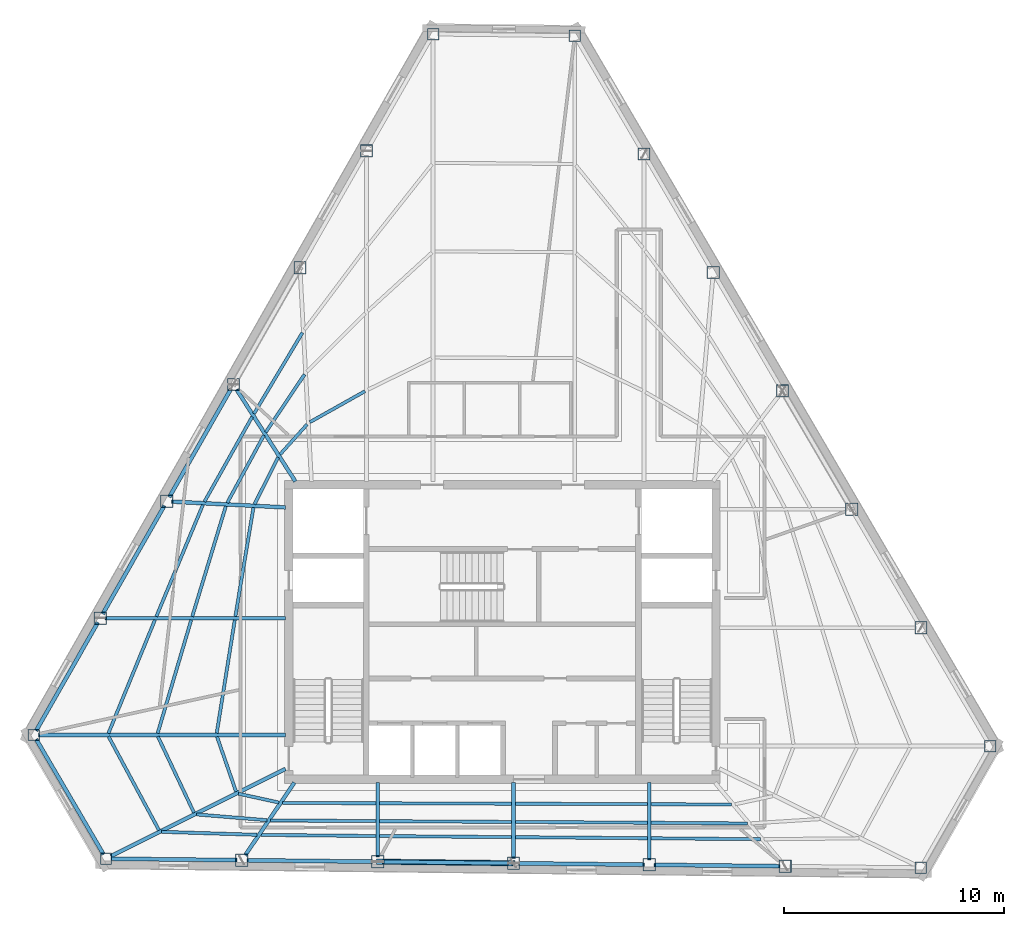
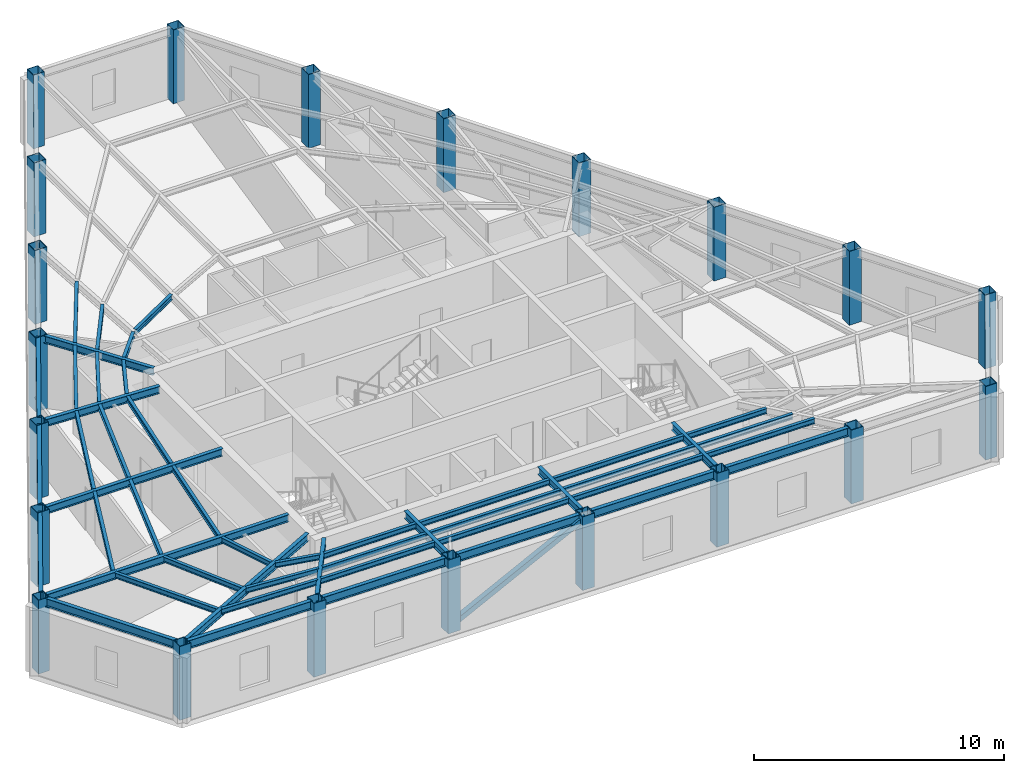
# One storey, part 1 of 10: 49 beams, 21 columns, 1 member.
"""IFC4 building model written with IfcOpenShell, lengths in metres."""

from ifc_helpers import new_model, si_unit, direction, frame, origin, origin_2d, place, context, subcontext, project, spatial, hollow_rectangle, i_section, extrude, material, material_profile, profile_set, type_object, element, save


model = new_model("IFC4")

# Units and contexts
model_context = context("Model", 3, precision=1e-05, world=origin(), true_north=direction((0.0, 1.0)))
body_context = subcontext(model_context, "Body", "Model", "MODEL_VIEW")
ifc_project = project(units=[si_unit("LENGTHUNIT", "METRE"), si_unit("AREAUNIT", "SQUARE_METRE"), si_unit("VOLUMEUNIT", "CUBIC_METRE"), si_unit("PLANEANGLEUNIT", "RADIAN"), si_unit("MASSUNIT", "GRAM", prefix="KILO")], contexts=[model_context])

# Site, building, storey
site_placement = place(None, origin())
site = spatial("IfcSite", under=ifc_project, at=site_placement, CompositionType="ELEMENT")
building_placement = place(site_placement, origin())
building = spatial("IfcBuilding", under=site, at=building_placement, Name="Kavelnor Concourse Tower", CompositionType="ELEMENT")
storey_placement = place(building_placement, frame((0.0, 0.0, 251.050048828125)))
storey = spatial("IfcBuildingStorey", under=building, at=storey_placement, Name="L63", CompositionType="ELEMENT", Elevation=251.050048828125)

# Columns
ifc_material = material(Name="Steel Grade 350", Category="steel")
ifc_material_profile_1 = material_profile(ifc_material, hollow_rectangle(XDim=0.52001953125, YDim=0.52001953125, WallThickness=0.02392578125, at=origin_2d()), Name="SHS 520x520x24")
ifc_profile_set_1 = profile_set([ifc_material_profile_1], Name="Steel Grade 350")
column_type_1 = type_object("IfcColumnType", Name="COL-FOLD-Z4", PredefinedType="COLUMN", material=ifc_profile_set_1)
for number, where, z_axis, x_axis, name in (
    (1, (34.846923828125, 43.2880859375, 0.0), (0.0, 0.0, 1.0), (1.0, 0.0, 0.0), "L63 Perimeter Corner-Fold Column F0-B0"),
    (2, (16.684814453125, 11.416259765625, 0.0), (0.0, 0.0, 1.0), (1.0, 0.0, 0.0), "L63 Perimeter Corner-Fold Column F0-B6"),
    (3, (19.973876953125, 5.791748046875, 0.0), (0.0, 0.0, 1.0), (1.0, 0.0, 0.0), "L63 Perimeter Corner-Fold Column F1-B0"),
    (4, (57.026611328125, 5.376953125, 0.0), (0.0, 0.0, 1.0), (1.0, 0.0, 0.0), "L63 Perimeter Corner-Fold Column F1-B6"),
    (5, (60.179931640625, 10.91064453125, 0.0), (0.0, 0.0, 1.0), (1.0, 0.0, 0.0), "L63 Perimeter Corner-Fold Column F2-B0"),
    (6, (41.288818359375, 43.216064453125, 0.0), (0.0, 0.0, 1.0), (1.0, 0.0, 0.0), "L63 Perimeter Corner-Fold Column F2-B6"),
):
    element("IfcColumn", number, at=place(storey_placement, frame(where, z_axis=z_axis, x_axis=x_axis)), inside=storey, type_object=column_type_1, Name=name, PredefinedType="COLUMN", context=body_context, shape_type="SweptSolid", body=[
        extrude(hollow_rectangle(XDim=0.52001953125, YDim=0.52001953125, WallThickness=0.02392578125, at=origin_2d()), origin(), (0.0, 0.0, 1.0), 3.60986328125),
    ])
ifc_material_profile_2 = material_profile(ifc_material, hollow_rectangle(XDim=0.56005859375, YDim=0.56005859375, WallThickness=0.02490234375, at=origin_2d()), Name="SHS 560x560x25")
ifc_profile_set_2 = profile_set([ifc_material_profile_2], Name="Steel Grade 350")
column_type_2 = type_object("IfcColumnType", Name="COL-TUBE-Z4", PredefinedType="COLUMN", material=ifc_profile_set_2)
for number, where, z_axis, x_axis, name in (
    (7, (31.81982421875, 37.976318359375, 0.0), (0.0, 0.0, 1.0), (1.0, 0.0, 0.0), "L63 Perimeter Framed-Tube Column F0-B1"),
    (8, (28.79296875, 32.664306640625, 0.0), (0.0, 0.0, 1.0), (1.0, 0.0, 0.0), "L63 Perimeter Framed-Tube Column F0-B2"),
    (9, (25.765869140625, 27.352294921875, 0.0), (0.0, 0.0, 1.0), (1.0, 0.0, 0.0), "L63 Perimeter Framed-Tube Column F0-B3"),
    (10, (22.739013671875, 22.040283203125, 0.0), (0.0, 0.0, 1.0), (1.0, 0.0, 0.0), "L63 Perimeter Framed-Tube Column F0-B4"),
    (11, (19.7119140625, 16.728271484375, 0.0), (0.0, 0.0, 1.0), (1.0, 0.0, 0.0), "L63 Perimeter Framed-Tube Column F0-B5"),
    (12, (26.1494140625, 5.72265625, 0.0), (0.0, 0.0, 1.0), (1.0, 0.0, 0.0), "L63 Perimeter Framed-Tube Column F1-B1"),
    (13, (32.32470703125, 5.653564453125, 0.0), (0.0, 0.0, 1.0), (1.0, 0.0, 0.0), "L63 Perimeter Framed-Tube Column F1-B2"),
    (14, (38.500244140625, 5.58447265625, 0.0), (0.0, 0.0, 1.0), (1.0, 0.0, 0.0), "L63 Perimeter Framed-Tube Column F1-B3"),
    (15, (44.67578125, 5.515380859375, 0.0), (0.0, 0.0, 1.0), (1.0, 0.0, 0.0), "L63 Perimeter Framed-Tube Column F1-B4"),
    (16, (50.851318359375, 5.446044921875, 0.0), (0.0, 0.0, 1.0), (1.0, 0.0, 0.0), "L63 Perimeter Framed-Tube Column F1-B5"),
    (17, (57.031494140625, 16.294921875, 0.0), (0.0, 0.0, 1.0), (1.0, 0.0, 0.0), "L63 Perimeter Framed-Tube Column F2-B1"),
    (18, (53.8828125, 21.67919921875, 0.0), (0.0, 0.0, 1.0), (1.0, 0.0, 0.0), "L63 Perimeter Framed-Tube Column F2-B2"),
    (19, (50.734375, 27.063232421875, 0.0), (0.0, 0.0, 1.0), (1.0, 0.0, 0.0), "L63 Perimeter Framed-Tube Column F2-B3"),
    (20, (47.5859375, 32.447509765625, 0.0), (0.0, 0.0, 1.0), (1.0, 0.0, 0.0), "L63 Perimeter Framed-Tube Column F2-B4"),
    (21, (44.437255859375, 37.831787109375, 0.0), (0.0, 0.0, 1.0), (1.0, 0.0, 0.0), "L63 Perimeter Framed-Tube Column F2-B5"),
):
    element("IfcColumn", number, at=place(storey_placement, frame(where, z_axis=z_axis, x_axis=x_axis)), inside=storey, type_object=column_type_2, Name=name, PredefinedType="COLUMN", context=body_context, shape_type="SweptSolid", body=[
        extrude(hollow_rectangle(XDim=0.56005859375, YDim=0.56005859375, WallThickness=0.02490234375, at=origin_2d()), origin(), (0.0, 0.0, 1.0), 3.60986328125),
    ])

# Beams
ifc_material_profile_3 = material_profile(ifc_material, i_section(OverallWidth=0.14599609375, OverallDepth=0.256103515625, WebThickness=0.00634765625, FlangeThickness=0.010986328125, at=origin_2d()), Name="250UB37")
ifc_profile_set_3 = profile_set([ifc_material_profile_3], Name="Steel Grade 350")
beam_type_1 = type_object("IfcBeamType", Name="BM-JOIST-250", PredefinedType="JOIST", material=ifc_profile_set_3)
beam_1_placement = place(storey_placement, frame((25.02099609375, 11.338623046875, 3.48193359375), z_axis=(0.327570712043, -0.944826665908, 0.0), x_axis=(0.944826665908, 0.327570712043, 0.0)))
element("IfcBeam", 22, at=beam_1_placement, inside=storey, type_object=beam_type_1, Name="L63 Secondary Composite Joist 01-1", PredefinedType="JOIST", context=body_context, shape_type="SweptSolid", body=[
    extrude(i_section(OverallWidth=0.14599609375, OverallDepth=0.256103515625, WebThickness=0.00634765625, FlangeThickness=0.010986328125, at=origin_2d()), origin(), (0.0, 0.0, 1.0), 2.64208984375),
])
beam_2_placement = place(storey_placement, frame((22.3330078125, 11.342041015625, 3.48193359375), z_axis=(0.428612922517, -0.903488219431, 0.0), x_axis=(0.903488219431, 0.428612922517, 0.0)))
element("IfcBeam", 23, at=beam_2_placement, inside=storey, type_object=beam_type_1, Name="L63 Secondary Composite Joist 01-2", PredefinedType="JOIST", context=body_context, shape_type="SweptSolid", body=[
    extrude(i_section(OverallWidth=0.14599609375, OverallDepth=0.256103515625, WebThickness=0.00634765625, FlangeThickness=0.010986328125, at=origin_2d()), origin(), (0.0, 0.0, 1.0), 3.825927734375),
])
beam_3_placement = place(storey_placement, frame((20.089599609375, 11.343994140625, 3.48193359375), z_axis=(0.474241384819, -0.880394859665, 0.0), x_axis=(0.880394859665, 0.474241384819, 0.0)))
element("IfcBeam", 24, at=beam_3_placement, inside=storey, type_object=beam_type_1, Name="L63 Secondary Composite Joist 01-3", PredefinedType="JOIST", context=body_context, shape_type="SweptSolid", body=[
    extrude(i_section(OverallWidth=0.14599609375, OverallDepth=0.256103515625, WebThickness=0.00634765625, FlangeThickness=0.010986328125, at=origin_2d()), origin(), (0.0, 0.0, 1.0), 4.83349609375),
])
beam_4_placement = place(storey_placement, frame((25.993408203125, 8.747314453125, 3.48193359375), z_axis=(0.976947404223, -0.213480138144, 0.0), x_axis=(0.213480138144, 0.976947404223, 0.0)))
element("IfcBeam", 25, at=beam_4_placement, inside=storey, type_object=beam_type_1, Name="L63 Secondary Composite Joist 02-1", PredefinedType="JOIST", context=body_context, shape_type="SweptSolid", body=[
    extrude(i_section(OverallWidth=0.14599609375, OverallDepth=0.256103515625, WebThickness=0.00634765625, FlangeThickness=0.010986328125, at=origin_2d()), origin(), (0.0, 0.0, 1.0), 1.88134765625),
])
beam_5_placement = place(storey_placement, frame((24.08984375, 7.804443359375, 3.48193359375), z_axis=(0.996661068571, -0.081649950367, 0.0), x_axis=(0.081649950367, 0.996661068571, 0.0)))
element("IfcBeam", 26, at=beam_5_placement, inside=storey, type_object=beam_type_1, Name="L63 Secondary Composite Joist 02-2", PredefinedType="JOIST", context=body_context, shape_type="SweptSolid", body=[
    extrude(i_section(OverallWidth=0.14599609375, OverallDepth=0.256103515625, WebThickness=0.00634765625, FlangeThickness=0.010986328125, at=origin_2d()), origin(), (0.0, 0.0, 1.0), 3.21435546875),
])
beam_6_placement = place(storey_placement, frame((22.502685546875, 7.013916015625, 3.48193359375), z_axis=(0.999505035576, -0.031459241228, 0.0), x_axis=(0.031459241228, 0.999505035576, 0.0)))
element("IfcBeam", 27, at=beam_6_placement, inside=storey, type_object=beam_type_1, Name="L63 Secondary Composite Joist 02-3", PredefinedType="JOIST", context=body_context, shape_type="SweptSolid", body=[
    extrude(i_section(OverallWidth=0.14599609375, OverallDepth=0.256103515625, WebThickness=0.00634765625, FlangeThickness=0.010986328125, at=origin_2d()), origin(), (0.0, 0.0, 1.0), 4.345947265625),
])
beam_7_placement = place(storey_placement, frame((27.993408203125, 8.327880859375, 3.48193359375), z_axis=(0.999993027409, -0.003734318441, 0.0), x_axis=(0.003734318441, 0.999993027409, 0.0)))
element("IfcBeam", 28, at=beam_7_placement, inside=storey, type_object=beam_type_1, Name="L63 Secondary Composite Joist 03-1", PredefinedType="JOIST", context=body_context, shape_type="SweptSolid", body=[
    extrude(i_section(OverallWidth=0.14599609375, OverallDepth=0.256103515625, WebThickness=0.00634765625, FlangeThickness=0.010986328125, at=origin_2d()), origin(), (0.0, 0.0, 1.0), 4.24951171875),
])
beam_8_placement = place(storey_placement, frame((27.45703125, 7.53466796875, 3.48193359375), z_axis=(0.999973020597, -0.00734561623, 0.0), x_axis=(0.00734561623, 0.999973020597, 0.0)))
element("IfcBeam", 29, at=beam_8_placement, inside=storey, type_object=beam_type_1, Name="L63 Secondary Composite Joist 03-2", PredefinedType="JOIST", context=body_context, shape_type="SweptSolid", body=[
    extrude(i_section(OverallWidth=0.14599609375, OverallDepth=0.256103515625, WebThickness=0.00634765625, FlangeThickness=0.010986328125, at=origin_2d()), origin(), (0.0, 0.0, 1.0), 4.7861328125),
])
beam_9_placement = place(storey_placement, frame((27.01025390625, 6.873779296875, 3.48193359375), z_axis=(0.999952003298, -0.009797504815, 0.0), x_axis=(0.009797504815, 0.999952003298, 0.0)))
element("IfcBeam", 30, at=beam_9_placement, inside=storey, type_object=beam_type_1, Name="L63 Secondary Composite Joist 03-3", PredefinedType="JOIST", context=body_context, shape_type="SweptSolid", body=[
    extrude(i_section(OverallWidth=0.14599609375, OverallDepth=0.256103515625, WebThickness=0.00634765625, FlangeThickness=0.010986328125, at=origin_2d()), origin(), (0.0, 0.0, 1.0), 5.23291015625),
])
for number, where, z_axis, x_axis, name in (
    (31, (32.40673828125, 8.3115234375, 3.48193359375), (0.999995110479, -0.003127142245, 0.0), (0.003127142245, 0.999995110479, 0.0), "L63 Secondary Composite Joist 04-1"),
    (32, (32.40673828125, 7.49853515625, 3.48193359375), (0.999983136444, -0.005807480344, 0.0), (0.005807480344, 0.999983136444, 0.0), "L63 Secondary Composite Joist 04-2"),
):
    element("IfcBeam", number, at=place(storey_placement, frame(where, z_axis=z_axis, x_axis=x_axis)), inside=storey, type_object=beam_type_1, Name=name, PredefinedType="JOIST", context=body_context, shape_type="SweptSolid", body=[
        extrude(i_section(OverallWidth=0.14599609375, OverallDepth=0.256103515625, WebThickness=0.00634765625, FlangeThickness=0.010986328125, at=origin_2d()), origin(), (0.0, 0.0, 1.0), 6.011474609375),
    ])
beam_10_placement = place(storey_placement, frame((32.40673828125, 6.821044921875, 3.48193359375), z_axis=(0.999967670619, -0.008041002265, 0.0), x_axis=(0.008041002265, 0.999967670619, 0.0)))
element("IfcBeam", 33, at=beam_10_placement, inside=storey, type_object=beam_type_1, Name="L63 Secondary Composite Joist 04-3", PredefinedType="JOIST", context=body_context, shape_type="SweptSolid", body=[
    extrude(i_section(OverallWidth=0.14599609375, OverallDepth=0.256103515625, WebThickness=0.00634765625, FlangeThickness=0.010986328125, at=origin_2d()), origin(), (0.0, 0.0, 1.0), 6.01171875),
])
for number, where, z_axis, x_axis, name in (
    (34, (38.582275390625, 8.292236328125, 3.48193359375), (0.999994982654, -0.003167754077, 0.0), (0.003167754077, 0.999994982654, 0.0), "L63 Secondary Composite Joist 05-1"),
    (35, (38.582275390625, 7.462646484375, 3.48193359375), (0.999982899771, -0.005848090711, 0.0), (0.005848090711, 0.999982899771, 0.0), "L63 Secondary Composite Joist 05-2"),
):
    element("IfcBeam", number, at=place(storey_placement, frame(where, z_axis=z_axis, x_axis=x_axis)), inside=storey, type_object=beam_type_1, Name=name, PredefinedType="JOIST", context=body_context, shape_type="SweptSolid", body=[
        extrude(i_section(OverallWidth=0.14599609375, OverallDepth=0.256103515625, WebThickness=0.00634765625, FlangeThickness=0.010986328125, at=origin_2d()), origin(), (0.0, 0.0, 1.0), 6.011474609375),
    ])
beam_11_placement = place(storey_placement, frame((38.582275390625, 6.771240234375, 3.48193359375), z_axis=(0.999967670619, -0.008041002265, 0.0), x_axis=(0.008041002265, 0.999967670619, 0.0)))
element("IfcBeam", 36, at=beam_11_placement, inside=storey, type_object=beam_type_1, Name="L63 Secondary Composite Joist 05-3", PredefinedType="JOIST", context=body_context, shape_type="SweptSolid", body=[
    extrude(i_section(OverallWidth=0.14599609375, OverallDepth=0.256103515625, WebThickness=0.00634765625, FlangeThickness=0.010986328125, at=origin_2d()), origin(), (0.0, 0.0, 1.0), 6.01171875),
])
beam_12_placement = place(storey_placement, frame((44.7578125, 8.272705078125, 3.48193359375), z_axis=(0.999980803596, -0.006196163284, 0.0), x_axis=(0.006196163284, 0.999980803596, 0.0)))
element("IfcBeam", 37, at=beam_12_placement, inside=storey, type_object=beam_type_1, Name="L63 Secondary Composite Joist 06-1", PredefinedType="JOIST", context=body_context, shape_type="SweptSolid", body=[
    extrude(i_section(OverallWidth=0.14599609375, OverallDepth=0.256103515625, WebThickness=0.00634765625, FlangeThickness=0.010986328125, at=origin_2d()), origin(), (0.0, 0.0, 1.0), 3.664306640625),
])
beam_13_placement = place(storey_placement, frame((44.7578125, 7.426513671875, 3.48193359375), z_axis=(0.999969153149, -0.007854473321, 0.0), x_axis=(0.007854473321, 0.999969153149, 0.0)))
element("IfcBeam", 38, at=beam_13_placement, inside=storey, type_object=beam_type_1, Name="L63 Secondary Composite Joist 06-2", PredefinedType="JOIST", context=body_context, shape_type="SweptSolid", body=[
    extrude(i_section(OverallWidth=0.14599609375, OverallDepth=0.256103515625, WebThickness=0.00634765625, FlangeThickness=0.010986328125, at=origin_2d()), origin(), (0.0, 0.0, 1.0), 4.3828125),
])
beam_14_placement = place(storey_placement, frame((44.7578125, 6.721435546875, 3.48193359375), z_axis=(0.999960652834, -0.008870895367, 0.0), x_axis=(0.008870895367, 0.999960652834, 0.0)))
element("IfcBeam", 39, at=beam_14_placement, inside=storey, type_object=beam_type_1, Name="L63 Secondary Composite Joist 06-3", PredefinedType="JOIST", context=body_context, shape_type="SweptSolid", body=[
    extrude(i_section(OverallWidth=0.14599609375, OverallDepth=0.256103515625, WebThickness=0.00634765625, FlangeThickness=0.010986328125, at=origin_2d()), origin(), (0.0, 0.0, 1.0), 4.9814453125),
])
beam_15_placement = place(storey_placement, frame((31.748291015625, 27.04833984375, 3.48193359375), z_axis=(-0.871936062537, -0.489619753327, 0.0), x_axis=(0.489619753327, -0.871936062537, 0.0)))
element("IfcBeam", 40, at=beam_15_placement, inside=storey, type_object=beam_type_1, Name="L63 Secondary Composite Joist 17-1", PredefinedType="JOIST", context=body_context, shape_type="SweptSolid", body=[
    extrude(i_section(OverallWidth=0.14599609375, OverallDepth=0.256103515625, WebThickness=0.00634765625, FlangeThickness=0.010986328125, at=origin_2d()), origin(), (0.0, 0.0, 1.0), 2.87353515625),
])
beam_16_placement = place(storey_placement, frame((29.1162109375, 25.540283203125, 3.48193359375), z_axis=(-0.668979444943, -0.743280903995, 0.0), x_axis=(0.743280903995, -0.668979444943, 0.0)))
element("IfcBeam", 41, at=beam_16_placement, inside=storey, type_object=beam_type_1, Name="L63 Secondary Composite Joist 18-1", PredefinedType="JOIST", context=body_context, shape_type="SweptSolid", body=[
    extrude(i_section(OverallWidth=0.14599609375, OverallDepth=0.256103515625, WebThickness=0.00634765625, FlangeThickness=0.010986328125, at=origin_2d()), origin(), (0.0, 0.0, 1.0), 1.83349609375),
])
beam_17_placement = place(storey_placement, frame((29.003173828125, 27.814208984375, 3.48193359375), z_axis=(-0.557581580535, -0.83012214827, 0.0), x_axis=(0.83012214827, -0.557581580535, 0.0)))
element("IfcBeam", 42, at=beam_17_placement, inside=storey, type_object=beam_type_1, Name="L63 Secondary Composite Joist 18-2", PredefinedType="JOIST", context=body_context, shape_type="SweptSolid", body=[
    extrude(i_section(OverallWidth=0.14599609375, OverallDepth=0.256103515625, WebThickness=0.00634765625, FlangeThickness=0.010986328125, at=origin_2d()), origin(), (0.0, 0.0, 1.0), 3.1640625),
])
beam_18_placement = place(storey_placement, frame((28.905029296875, 29.712646484375, 3.48193359375), z_axis=(-0.513132667829, -0.858309306257, 0.0), x_axis=(0.858309306257, -0.513132667829, 0.0)))
element("IfcBeam", 43, at=beam_18_placement, inside=storey, type_object=beam_type_1, Name="L63 Secondary Composite Joist 18-3", PredefinedType="JOIST", context=body_context, shape_type="SweptSolid", body=[
    extrude(i_section(OverallWidth=0.14599609375, OverallDepth=0.256103515625, WebThickness=0.00634765625, FlangeThickness=0.010986328125, at=origin_2d()), origin(), (0.0, 0.0, 1.0), 4.29541015625),
])
beam_19_placement = place(storey_placement, frame((27.798095703125, 24.043212890625, 3.48193359375), z_axis=(-0.449217633521, -0.893422362455, 0.0), x_axis=(0.893422362455, -0.449217633521, 0.0)))
element("IfcBeam", 44, at=beam_19_placement, inside=storey, type_object=beam_type_1, Name="L63 Secondary Composite Joist 19-1", PredefinedType="JOIST", context=body_context, shape_type="SweptSolid", body=[
    extrude(i_section(OverallWidth=0.14599609375, OverallDepth=0.256103515625, WebThickness=0.00634765625, FlangeThickness=0.010986328125, at=origin_2d()), origin(), (0.0, 0.0, 1.0), 2.386474609375),
])
beam_20_placement = place(storey_placement, frame((27.154296875, 25.047607421875, 3.48193359375), z_axis=(-0.477193516821, -0.878798240499, 0.0), x_axis=(0.878798240499, -0.477193516821, 0.0)))
element("IfcBeam", 45, at=beam_20_placement, inside=storey, type_object=beam_type_1, Name="L63 Secondary Composite Joist 19-2", PredefinedType="JOIST", context=body_context, shape_type="SweptSolid", body=[
    extrude(i_section(OverallWidth=0.14599609375, OverallDepth=0.256103515625, WebThickness=0.00634765625, FlangeThickness=0.010986328125, at=origin_2d()), origin(), (0.0, 0.0, 1.0), 3.498046875),
])
beam_21_placement = place(storey_placement, frame((26.61865234375, 25.884033203125, 3.48193359375), z_axis=(-0.490067420679, -0.87168453192, 0.0), x_axis=(0.87168453192, -0.490067420679, 0.0)))
element("IfcBeam", 46, at=beam_21_placement, inside=storey, type_object=beam_type_1, Name="L63 Secondary Composite Joist 19-3", PredefinedType="JOIST", context=body_context, shape_type="SweptSolid", body=[
    extrude(i_section(OverallWidth=0.14599609375, OverallDepth=0.256103515625, WebThickness=0.00634765625, FlangeThickness=0.010986328125, at=origin_2d()), origin(), (0.0, 0.0, 1.0), 4.42578125),
])
beam_22_placement = place(storey_placement, frame((26.67578125, 21.7568359375, 3.48193359375), z_axis=(-0.163656923451, -0.986517314296, 0.0), x_axis=(0.986517314296, -0.163656923451, 0.0)))
element("IfcBeam", 47, at=beam_22_placement, inside=storey, type_object=beam_type_1, Name="L63 Secondary Composite Joist 20-1", PredefinedType="JOIST", context=body_context, shape_type="SweptSolid", body=[
    extrude(i_section(OverallWidth=0.14599609375, OverallDepth=0.256103515625, WebThickness=0.00634765625, FlangeThickness=0.010986328125, at=origin_2d()), origin(), (0.0, 0.0, 1.0), 5.015380859375),
])
beam_23_placement = place(storey_placement, frame((25.422119140625, 21.822998046875, 3.48193359375), z_axis=(-0.291100473436, -0.956692486834, 0.0), x_axis=(0.956692486834, -0.291100473436, 0.0)))
element("IfcBeam", 48, at=beam_23_placement, inside=storey, type_object=beam_type_1, Name="L63 Secondary Composite Joist 20-2", PredefinedType="JOIST", context=body_context, shape_type="SweptSolid", body=[
    extrude(i_section(OverallWidth=0.14599609375, OverallDepth=0.256103515625, WebThickness=0.00634765625, FlangeThickness=0.010986328125, at=origin_2d()), origin(), (0.0, 0.0, 1.0), 5.243408203125),
])
beam_24_placement = place(storey_placement, frame((24.378173828125, 21.87890625, 3.48193359375), z_axis=(-0.38490856663, -0.922954709255, 0.0), x_axis=(0.922954709255, -0.38490856663, 0.0)))
element("IfcBeam", 49, at=beam_24_placement, inside=storey, type_object=beam_type_1, Name="L63 Secondary Composite Joist 20-3", PredefinedType="JOIST", context=body_context, shape_type="SweptSolid", body=[
    extrude(i_section(OverallWidth=0.14599609375, OverallDepth=0.256103515625, WebThickness=0.00634765625, FlangeThickness=0.010986328125, at=origin_2d()), origin(), (0.0, 0.0, 1.0), 5.49853515625),
])
beam_25_placement = place(storey_placement, frame((25.828857421875, 16.647216796875, 3.48193359375), z_axis=(-0.157577847174, -0.98750656812, 0.0), x_axis=(0.98750656812, -0.157577847174, 0.0)))
element("IfcBeam", 50, at=beam_25_placement, inside=storey, type_object=beam_type_1, Name="L63 Secondary Composite Joist 21-1", PredefinedType="JOIST", context=body_context, shape_type="SweptSolid", body=[
    extrude(i_section(OverallWidth=0.14599609375, OverallDepth=0.256103515625, WebThickness=0.00634765625, FlangeThickness=0.010986328125, at=origin_2d()), origin(), (0.0, 0.0, 1.0), 5.215087890625),
])
beam_26_placement = place(storey_placement, frame((23.848388671875, 16.649658203125, 3.48193359375), z_axis=(-0.284088329691, -0.958798112708, 0.0), x_axis=(0.958798112708, -0.284088329691, 0.0)))
element("IfcBeam", 51, at=beam_26_placement, inside=storey, type_object=beam_type_1, Name="L63 Secondary Composite Joist 21-2", PredefinedType="JOIST", context=body_context, shape_type="SweptSolid", body=[
    extrude(i_section(OverallWidth=0.14599609375, OverallDepth=0.256103515625, WebThickness=0.00634765625, FlangeThickness=0.010986328125, at=origin_2d()), origin(), (0.0, 0.0, 1.0), 5.376220703125),
])
beam_27_placement = place(storey_placement, frame((22.198974609375, 16.65234375, 3.48193359375), z_axis=(-0.379587097142, -0.925156006133, 0.0), x_axis=(0.925156006133, -0.379587097142, 0.0)))
element("IfcBeam", 52, at=beam_27_placement, inside=storey, type_object=beam_type_1, Name="L63 Secondary Composite Joist 21-3", PredefinedType="JOIST", context=body_context, shape_type="SweptSolid", body=[
    extrude(i_section(OverallWidth=0.14599609375, OverallDepth=0.256103515625, WebThickness=0.00634765625, FlangeThickness=0.010986328125, at=origin_2d()), origin(), (0.0, 0.0, 1.0), 5.57763671875),
])
ifc_material_profile_4 = material_profile(ifc_material, i_section(OverallWidth=0.172119140625, OverallDepth=0.35888671875, WebThickness=0.008056640625, FlangeThickness=0.012939453125, at=origin_2d()), Name="360UB56")
ifc_profile_set_4 = profile_set([ifc_material_profile_4], Name="Steel Grade 350")
beam_type_2 = type_object("IfcBeamType", Name="BM-PRIMARY-360", PredefinedType="BEAM", material=ifc_profile_set_4)
beam_28_placement = place(storey_placement, frame((28.5830078125, 22.9462890625, 3.430419921875), z_axis=(-0.53867659104, 0.842512629143, 0.0), x_axis=(-0.842512629143, -0.53867659104, 0.0)))
element("IfcBeam", 53, at=beam_28_placement, inside=storey, type_object=beam_type_2, Name="L63 Primary Floor Girder F0-B3", PredefinedType="BEAM", context=body_context, shape_type="SweptSolid", body=[
    extrude(i_section(OverallWidth=0.172119140625, OverallDepth=0.35888671875, WebThickness=0.008056640625, FlangeThickness=0.012939453125, at=origin_2d()), origin(), (0.0, 0.0, 1.0), 4.9609375),
])
beam_29_placement = place(storey_placement, frame((28.139892578125, 21.763427734375, 3.430419921875), z_axis=(-0.998690686011, 0.051155778507, 0.0), x_axis=(-0.051155778507, -0.998690686011, 0.0)))
element("IfcBeam", 54, at=beam_29_placement, inside=storey, type_object=beam_type_2, Name="L63 Primary Floor Girder F0-B4", PredefinedType="BEAM", context=body_context, shape_type="SweptSolid", body=[
    extrude(i_section(OverallWidth=0.172119140625, OverallDepth=0.35888671875, WebThickness=0.008056640625, FlangeThickness=0.012939453125, at=origin_2d()), origin(), (0.0, 0.0, 1.0), 5.187744140625),
])
beam_30_placement = place(storey_placement, frame((28.139892578125, 16.728271484375, 3.430419921875), z_axis=(-1.0, 0.0, 0.0), x_axis=(0.0, -1.0, 0.0)))
element("IfcBeam", 55, at=beam_30_placement, inside=storey, type_object=beam_type_2, Name="L63 Primary Floor Girder F0-B5", PredefinedType="BEAM", context=body_context, shape_type="SweptSolid", body=[
    extrude(i_section(OverallWidth=0.172119140625, OverallDepth=0.35888671875, WebThickness=0.008056640625, FlangeThickness=0.012939453125, at=origin_2d()), origin(), (0.0, 0.0, 1.0), 8.2080078125),
])
beam_31_placement = place(storey_placement, frame((28.139892578125, 11.416259765625, 3.430419921875), z_axis=(-1.0, 0.0, 0.0), x_axis=(0.0, -1.0, 0.0)))
element("IfcBeam", 56, at=beam_31_placement, inside=storey, type_object=beam_type_2, Name="L63 Primary Floor Girder F0-B6", PredefinedType="BEAM", context=body_context, shape_type="SweptSolid", body=[
    extrude(i_section(OverallWidth=0.172119140625, OverallDepth=0.35888671875, WebThickness=0.008056640625, FlangeThickness=0.012939453125, at=origin_2d()), origin(), (0.0, 0.0, 1.0), 11.235107421875),
])
beam_32_placement = place(storey_placement, frame((28.1357421875, 9.877197265625, 3.430419921875), z_axis=(-0.894234580756, -0.447598608779, 0.0), x_axis=(0.447598608779, -0.894234580756, 0.0)))
element("IfcBeam", 57, at=beam_32_placement, inside=storey, type_object=beam_type_2, Name="L63 Primary Floor Girder F1-B0", PredefinedType="BEAM", context=body_context, shape_type="SweptSolid", body=[
    extrude(i_section(OverallWidth=0.172119140625, OverallDepth=0.35888671875, WebThickness=0.008056640625, FlangeThickness=0.012939453125, at=origin_2d()), origin(), (0.0, 0.0, 1.0), 8.87646484375),
])
beam_33_placement = place(storey_placement, frame((28.536865234375, 9.253173828125, 3.430419921875), z_axis=(-0.560211777306, -0.828349421782, 0.0), x_axis=(0.828349421782, -0.560211777306, 0.0)))
element("IfcBeam", 58, at=beam_33_placement, inside=storey, type_object=beam_type_2, Name="L63 Primary Floor Girder F1-B1", PredefinedType="BEAM", context=body_context, shape_type="SweptSolid", body=[
    extrude(i_section(OverallWidth=0.172119140625, OverallDepth=0.35888671875, WebThickness=0.008056640625, FlangeThickness=0.012939453125, at=origin_2d()), origin(), (0.0, 0.0, 1.0), 3.988037109375),
])
beam_34_placement = place(storey_placement, frame((32.32470703125, 9.260009765625, 3.430419921875), z_axis=(0.0, -1.0, 0.0), x_axis=(1.0, 0.0, 0.0)))
element("IfcBeam", 59, at=beam_34_placement, inside=storey, type_object=beam_type_2, Name="L63 Primary Floor Girder F1-B2", PredefinedType="BEAM", context=body_context, shape_type="SweptSolid", body=[
    extrude(i_section(OverallWidth=0.172119140625, OverallDepth=0.35888671875, WebThickness=0.008056640625, FlangeThickness=0.012939453125, at=origin_2d()), origin(), (0.0, 0.0, 1.0), 3.386474609375),
])
beam_35_placement = place(storey_placement, frame((38.500244140625, 9.260009765625, 3.430419921875), z_axis=(0.0, -1.0, 0.0), x_axis=(1.0, 0.0, 0.0)))
element("IfcBeam", 60, at=beam_35_placement, inside=storey, type_object=beam_type_2, Name="L63 Primary Floor Girder F1-B3", PredefinedType="BEAM", context=body_context, shape_type="SweptSolid", body=[
    extrude(i_section(OverallWidth=0.172119140625, OverallDepth=0.35888671875, WebThickness=0.008056640625, FlangeThickness=0.012939453125, at=origin_2d()), origin(), (0.0, 0.0, 1.0), 3.45556640625),
])
beam_36_placement = place(storey_placement, frame((44.67578125, 9.260009765625, 3.430419921875), z_axis=(0.0, -1.0, 0.0), x_axis=(1.0, 0.0, 0.0)))
element("IfcBeam", 61, at=beam_36_placement, inside=storey, type_object=beam_type_2, Name="L63 Primary Floor Girder F1-B4", PredefinedType="BEAM", context=body_context, shape_type="SweptSolid", body=[
    extrude(i_section(OverallWidth=0.172119140625, OverallDepth=0.35888671875, WebThickness=0.008056640625, FlangeThickness=0.012939453125, at=origin_2d()), origin(), (0.0, 0.0, 1.0), 3.524658203125),
])
ifc_material_profile_5 = material_profile(ifc_material, i_section(OverallWidth=0.177978515625, OverallDepth=0.406005859375, WebThickness=0.0078125, FlangeThickness=0.0126953125, at=origin_2d()), Name="410UB59")
ifc_profile_set_5 = profile_set([ifc_material_profile_5], Name="Steel Grade 350")
beam_type_3 = type_object("IfcBeamType", Name="BM-SPANDREL-Z4", PredefinedType="SPANDREL", material=ifc_profile_set_5)
for number, where, z_axis, x_axis, name in (
    (62, (25.654541015625, 27.15673828125, 3.406982421875), (-0.495089497601, -0.868841981816, 0.0), (0.868841981816, -0.495089497601, 0.0), "L63 Perimeter Tube Spandrel Beam F0-B3"),
    (63, (22.62744140625, 21.8447265625, 3.406982421875), (-0.495089497601, -0.868841981816, 0.0), (0.868841981816, -0.495089497601, 0.0), "L63 Perimeter Tube Spandrel Beam F0-B4"),
):
    element("IfcBeam", number, at=place(storey_placement, frame(where, z_axis=z_axis, x_axis=x_axis)), inside=storey, type_object=beam_type_3, Name=name, PredefinedType="SPANDREL", context=body_context, shape_type="SweptSolid", body=[
        extrude(i_section(OverallWidth=0.177978515625, OverallDepth=0.406005859375, WebThickness=0.0078125, FlangeThickness=0.0126953125, at=origin_2d()), origin(), (0.0, 0.0, 1.0), 5.6640625),
    ])
beam_37_placement = place(storey_placement, frame((19.6005859375, 16.53271484375, 3.406982421875), z_axis=(-0.49510803945, -0.86883141591, 0.0), x_axis=(0.86883141591, -0.49510803945, 0.0)))
element("IfcBeam", 64, at=beam_37_placement, inside=storey, type_object=beam_type_3, Name="L63 Perimeter Tube Spandrel Beam F0-B5", PredefinedType="SPANDREL", context=body_context, shape_type="SweptSolid", body=[
    extrude(i_section(OverallWidth=0.177978515625, OverallDepth=0.406005859375, WebThickness=0.0078125, FlangeThickness=0.0126953125, at=origin_2d()), origin(), (0.0, 0.0, 1.0), 5.663818359375),
])
for number, where, z_axis, x_axis, name in (
    (65, (20.198974609375, 5.789306640625, 3.406982421875), (0.999937119237, -0.011214168366, 0.0), (0.011214168366, 0.999937119237, 0.0), "L63 Perimeter Tube Spandrel Beam F1-B0"),
    (66, (26.37451171875, 5.72021484375, 3.406982421875), (0.999937119237, -0.011214168366, 0.0), (0.011214168366, 0.999937119237, 0.0), "L63 Perimeter Tube Spandrel Beam F1-B1"),
):
    element("IfcBeam", number, at=place(storey_placement, frame(where, z_axis=z_axis, x_axis=x_axis)), inside=storey, type_object=beam_type_3, Name=name, PredefinedType="SPANDREL", context=body_context, shape_type="SweptSolid", body=[
        extrude(i_section(OverallWidth=0.177978515625, OverallDepth=0.406005859375, WebThickness=0.0078125, FlangeThickness=0.0126953125, at=origin_2d()), origin(), (0.0, 0.0, 1.0), 5.7255859375),
    ])
beam_38_placement = place(storey_placement, frame((32.5498046875, 5.65087890625, 3.406982421875), z_axis=(0.999937601785, -0.011171057977, 0.0), x_axis=(0.011171057977, 0.999937601785, 0.0)))
element("IfcBeam", 67, at=beam_38_placement, inside=storey, type_object=beam_type_3, Name="L63 Perimeter Tube Spandrel Beam F1-B2", PredefinedType="SPANDREL", context=body_context, shape_type="SweptSolid", body=[
    extrude(i_section(OverallWidth=0.177978515625, OverallDepth=0.406005859375, WebThickness=0.0078125, FlangeThickness=0.0126953125, at=origin_2d()), origin(), (0.0, 0.0, 1.0), 5.725830078125),
])
for number, where, z_axis, x_axis, name in (
    (68, (38.725341796875, 5.581787109375, 3.406982421875), (0.999937596464, -0.011171534275, 0.0), (0.011171534275, 0.999937596464, 0.0), "L63 Perimeter Tube Spandrel Beam F1-B3"),
    (69, (44.90087890625, 5.5126953125, 3.406982421875), (0.999937119237, -0.011214168366, 0.0), (0.011214168366, 0.999937119237, 0.0), "L63 Perimeter Tube Spandrel Beam F1-B4"),
):
    element("IfcBeam", number, at=place(storey_placement, frame(where, z_axis=z_axis, x_axis=x_axis)), inside=storey, type_object=beam_type_3, Name=name, PredefinedType="SPANDREL", context=body_context, shape_type="SweptSolid", body=[
        extrude(i_section(OverallWidth=0.177978515625, OverallDepth=0.406005859375, WebThickness=0.0078125, FlangeThickness=0.0126953125, at=origin_2d()), origin(), (0.0, 0.0, 1.0), 5.7255859375),
    ])
beam_39_placement = place(storey_placement, frame((16.798583984375, 11.221923828125, 3.406982421875), z_axis=(0.504796733946, -0.863238239073, 0.0), x_axis=(0.863238239073, 0.504796733946, 0.0)))
element("IfcBeam", 70, at=beam_39_placement, inside=storey, type_object=beam_type_3, Name="L63 Chamfer Facet Spandrel Beam C1", PredefinedType="SPANDREL", context=body_context, shape_type="SweptSolid", body=[
    extrude(i_section(OverallWidth=0.177978515625, OverallDepth=0.406005859375, WebThickness=0.0078125, FlangeThickness=0.0126953125, at=origin_2d()), origin(), (0.0, 0.0, 1.0), 6.0654296875),
])

# Member
ifc_material_profile_6 = material_profile(ifc_material, hollow_rectangle(XDim=0.25, YDim=0.25, WallThickness=0.01611328125, at=origin_2d()), Name="SHS 250x250x16")
ifc_profile_set_6 = profile_set([ifc_material_profile_6], Name="Steel Grade 350")
member_type = type_object("IfcMemberType", Name="MBR-TUBE-DIAG-Z4", PredefinedType="BRACE", material=ifc_profile_set_6)
member_placement = place(storey_placement, frame((32.32470703125, 5.653564453125, 0.219970703125), z_axis=(0.888597986318, -0.009941618111, 0.458579091259), x_axis=(0.011187281675, 0.999937420406, 0.0)))
element("IfcMember", 71, at=member_placement, inside=storey, type_object=member_type, Name="L63 Framed-Tube Bracing Diagonal F1-B2", PredefinedType="BRACE", context=body_context, shape_type="SweptSolid", body=[
    extrude(hollow_rectangle(XDim=0.25, YDim=0.25, WallThickness=0.01611328125, at=origin_2d()), origin(), (0.0, 0.0, 1.0), 6.94970703125),
])

save(model, "model.ifc")
